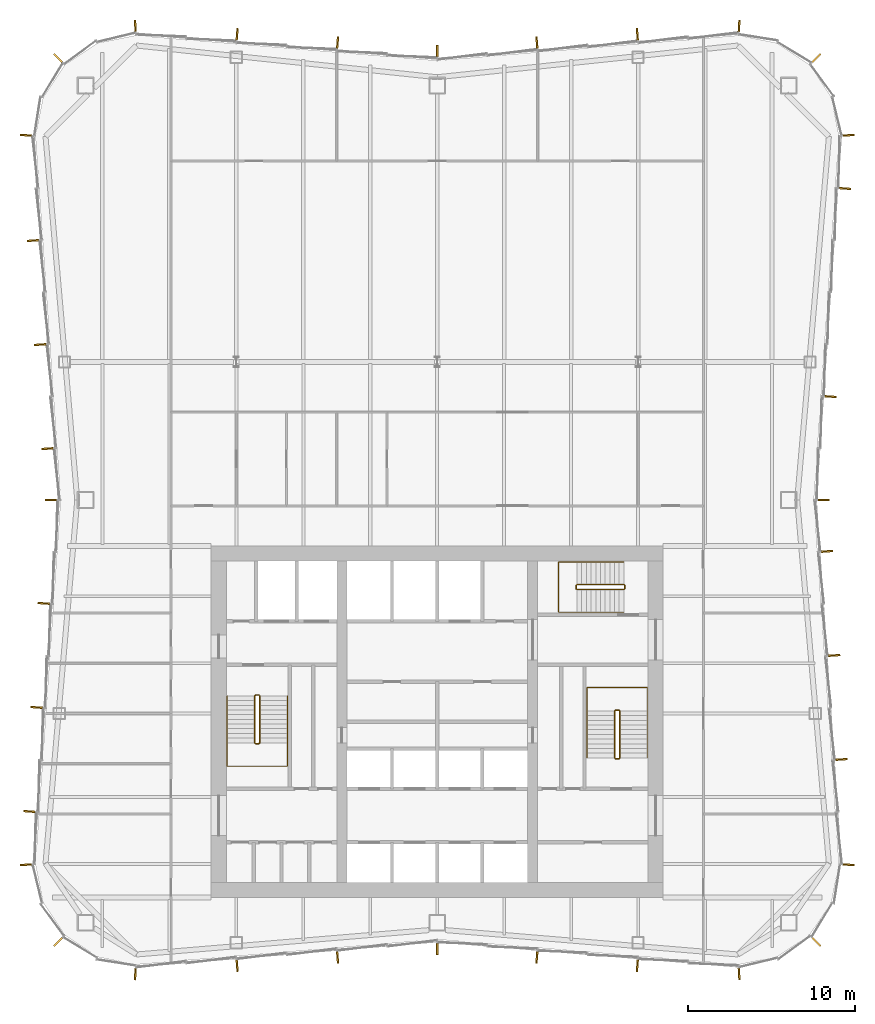
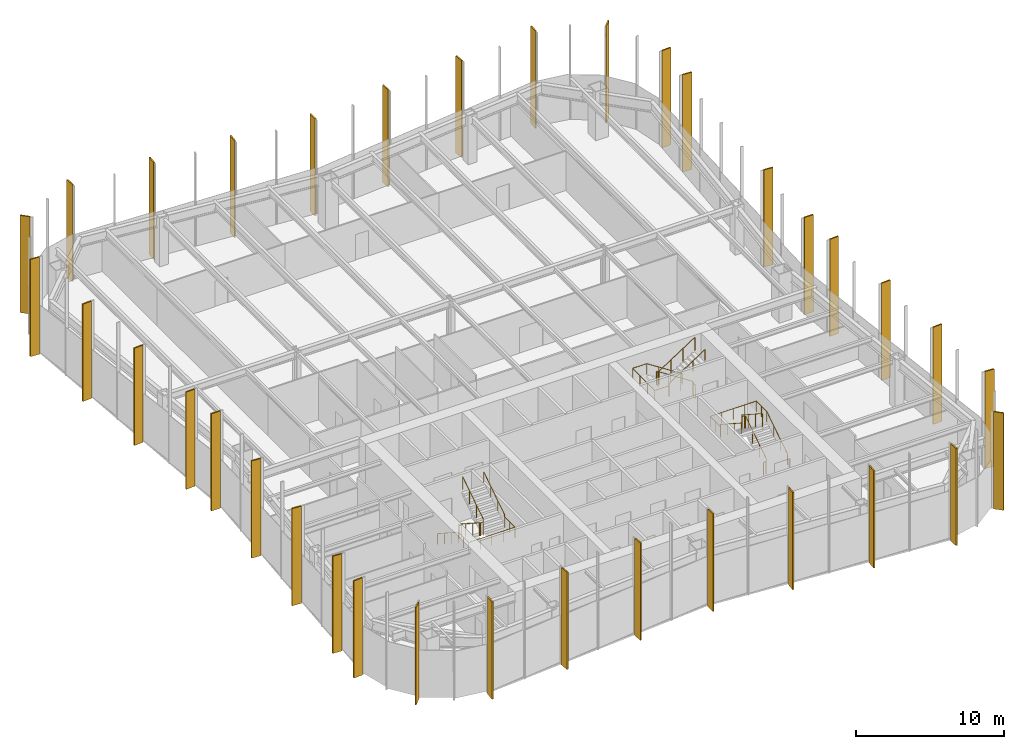
# One storey, part 13 of 13: 35 shading devices, 6 railings.
"""IFC4 building model written with IfcOpenShell, lengths in metres."""

from ifc_helpers import new_model, si_unit, direction, frame, origin, origin_2d, place, context, subcontext, project, spatial, rectangle, circle, extrude, material, layer, layer_set, type_object, element, save


model = new_model("IFC4")

# Units and contexts
model_context = context("Model", 3, precision=1e-05, world=origin(), true_north=direction((0.0, 1.0)))
body_context = subcontext(model_context, "Body", "Model", "MODEL_VIEW")
ifc_project = project(units=[si_unit("LENGTHUNIT", "METRE"), si_unit("AREAUNIT", "SQUARE_METRE"), si_unit("VOLUMEUNIT", "CUBIC_METRE"), si_unit("PLANEANGLEUNIT", "RADIAN"), si_unit("MASSUNIT", "GRAM", prefix="KILO")], contexts=[model_context])

# Site, building, storey
site_placement = place(None, origin())
site = spatial("IfcSite", under=ifc_project, at=site_placement, CompositionType="ELEMENT")
building_placement = place(site_placement, origin())
building = spatial("IfcBuilding", under=site, at=building_placement, Name="Verdant Reach Tower", CompositionType="ELEMENT")
storey_placement = place(building_placement, frame((0.0, 0.0, 218.0)))
storey = spatial("IfcBuildingStorey", under=building, at=storey_placement, Name="L50", CompositionType="ELEMENT", Elevation=218.0)

# Railings
ifc_material_1 = material(Name="Stainless steel", Category="steel")
railing_type_1 = type_object("IfcRailingType", Name="CO-GUARD", PredefinedType="GUARDRAIL", material=ifc_material_1)
railing_1_placement = place(storey_placement, frame((-10.64990234375, 29.60009765625, 0.0)))
element("IfcRailing", 1, at=railing_1_placement, inside=storey, type_object=railing_type_1, Name="L50 ST-1 stair guard 1", PredefinedType="GUARDRAIL", context=body_context, shape_type="SweptSolid", body=[
    extrude(circle(Radius=0.02392578125, at=origin_2d()), frame((0.0, 0.0, 1.076171875), z_axis=(-1.0, 0.0, 0.0), x_axis=(0.0, -1.0, 0.0)), (0.0, 0.0, 1.0), 0.2001953125),
    extrude(circle(Radius=0.02392578125, at=origin_2d()), frame((-0.2001953125, 0.0, 1.076171875), z_axis=(-0.25526617399, -0.256517478764, 0.932222056972), x_axis=(0.708833529934, -0.705375805398, 0.0)), (0.0, 0.0, 1.0), 0.195068359375),
    extrude(circle(Radius=0.02392578125, at=origin_2d()), frame((-0.25, -0.050048828125, 1.2578125), z_axis=(0.0, -0.838705829183, 0.544584733623), x_axis=(1.0, 0.0, 0.0)), (0.0, 0.0, 1.0), 3.338623046875),
    extrude(circle(Radius=0.02392578125, at=origin_2d()), frame((-0.25, -2.85009765625, 3.076171875), z_axis=(0.705375805398, -0.708833529934, 0.0), x_axis=(0.708833529934, 0.705375805398, 0.0)), (0.0, 0.0, 1.0), 0.070556640625),
    extrude(circle(Radius=0.02392578125, at=origin_2d()), frame((-0.2001953125, -2.900146484375, 3.076171875), z_axis=(1.0, 0.0, 0.0), x_axis=(0.0, 1.0, 0.0)), (0.0, 0.0, 1.0), 0.2001953125),
    extrude(circle(Radius=0.02392578125, at=origin_2d()), frame((0.0, -2.900146484375, 3.076171875), z_axis=(0.25526617399, 0.256517478764, 0.932222056972), x_axis=(-0.708833529934, 0.705375805398, 0.0)), (0.0, 0.0, 1.0), 0.195068359375),
    extrude(circle(Radius=0.02392578125, at=origin_2d()), frame((0.0498046875, -2.85009765625, 3.2578125), z_axis=(0.0, 0.838705829183, 0.544584733623), x_axis=(-1.0, 0.0, 0.0)), (0.0, 0.0, 1.0), 3.338623046875),
    extrude(circle(Radius=0.02099609375, at=origin_2d()), origin(), (0.0, 0.0, 1.0), 1.052001953125),
    extrude(circle(Radius=0.02099609375, at=origin_2d()), frame((-0.2001953125, 0.0, 0.0)), (0.0, 0.0, 1.0), 1.052001953125),
    extrude(circle(Radius=0.02099609375, at=origin_2d()), frame((-0.25, -0.050048828125, 0.181884765625)), (0.0, 0.0, 1.0), 1.052001953125),
    extrude(circle(Radius=0.02099609375, at=origin_2d()), frame((-0.25, -0.9833984375, 0.787841796875)), (0.0, 0.0, 1.0), 1.052001953125),
    extrude(circle(Radius=0.02099609375, at=origin_2d()), frame((-0.25, -1.916748046875, 1.39404296875)), (0.0, 0.0, 1.0), 1.052001953125),
    extrude(circle(Radius=0.02099609375, at=origin_2d()), frame((-0.25, -2.85009765625, 2.0)), (0.0, 0.0, 1.0), 1.052001953125),
    extrude(circle(Radius=0.02099609375, at=origin_2d()), frame((-0.2001953125, -2.900146484375, 2.0)), (0.0, 0.0, 1.0), 1.052001953125),
    extrude(circle(Radius=0.02099609375, at=origin_2d()), frame((0.0, -2.900146484375, 2.0)), (0.0, 0.0, 1.0), 1.052001953125),
    extrude(circle(Radius=0.02099609375, at=origin_2d()), frame((0.0498046875, -2.85009765625, 2.181884765625)), (0.0, 0.0, 1.0), 1.052001953125),
    extrude(circle(Radius=0.02099609375, at=origin_2d()), frame((0.0498046875, -1.916748046875, 2.787841796875)), (0.0, 0.0, 1.0), 1.052001953125),
    extrude(circle(Radius=0.02099609375, at=origin_2d()), frame((0.0498046875, -0.9833984375, 3.39404296875)), (0.0, 0.0, 1.0), 1.052001953125),
    extrude(circle(Radius=0.02099609375, at=origin_2d()), frame((0.0498046875, -0.050048828125, 4.0)), (0.0, 0.0, 1.0), 1.052001953125),
])
railing_2_placement = place(storey_placement, frame((10.64990234375, 25.800048828125, 0.0)))
element("IfcRailing", 2, at=railing_2_placement, inside=storey, type_object=railing_type_1, Name="L50 ST-2 stair guard 1", PredefinedType="GUARDRAIL", context=body_context, shape_type="SweptSolid", body=[
    extrude(circle(Radius=0.02392578125, at=origin_2d()), frame((0.0, 0.0, 1.076171875), z_axis=(1.0, 0.0, 0.0), x_axis=(0.0, 1.0, 0.0)), (0.0, 0.0, 1.0), 0.2001953125),
    extrude(circle(Radius=0.02392578125, at=origin_2d()), frame((0.2001953125, 0.0, 1.076171875), z_axis=(0.25526617399, 0.256517478764, 0.932222056972), x_axis=(-0.708833529934, 0.705375805398, 0.0)), (0.0, 0.0, 1.0), 0.195068359375),
    extrude(circle(Radius=0.02392578125, at=origin_2d()), frame((0.25, 0.050048828125, 1.2578125), z_axis=(0.0, 0.83868413941, 0.544618136222), x_axis=(-1.0, 0.0, 0.0)), (0.0, 0.0, 1.0), 3.33837890625),
    extrude(circle(Radius=0.02392578125, at=origin_2d()), frame((0.25, 2.849853515625, 3.076171875), z_axis=(-0.705375805398, 0.708833529934, 0.0), x_axis=(-0.708833529934, -0.705375805398, 0.0)), (0.0, 0.0, 1.0), 0.070556640625),
    extrude(circle(Radius=0.02392578125, at=origin_2d()), frame((0.2001953125, 2.89990234375, 3.076171875), z_axis=(-1.0, 0.0, 0.0), x_axis=(0.0, -1.0, 0.0)), (0.0, 0.0, 1.0), 0.2001953125),
    extrude(circle(Radius=0.02392578125, at=origin_2d()), frame((0.0, 2.89990234375, 3.076171875), z_axis=(-0.25526617399, -0.256517478764, 0.932222056972), x_axis=(0.708833529934, -0.705375805398, 0.0)), (0.0, 0.0, 1.0), 0.195068359375),
    extrude(circle(Radius=0.02392578125, at=origin_2d()), frame((-0.0498046875, 2.849853515625, 3.2578125), z_axis=(0.0, -0.83868413941, 0.544618136222), x_axis=(1.0, 0.0, 0.0)), (0.0, 0.0, 1.0), 3.33837890625),
    extrude(circle(Radius=0.02099609375, at=origin_2d()), origin(), (0.0, 0.0, 1.0), 1.052001953125),
    extrude(circle(Radius=0.02099609375, at=origin_2d()), frame((0.2001953125, 0.0, 0.0)), (0.0, 0.0, 1.0), 1.052001953125),
    extrude(circle(Radius=0.02099609375, at=origin_2d()), frame((0.25, 0.050048828125, 0.181884765625)), (0.0, 0.0, 1.0), 1.052001953125),
    extrude(circle(Radius=0.02099609375, at=origin_2d()), frame((0.25, 0.9833984375, 0.787841796875)), (0.0, 0.0, 1.0), 1.052001953125),
    extrude(circle(Radius=0.02099609375, at=origin_2d()), frame((0.25, 1.91650390625, 1.39404296875)), (0.0, 0.0, 1.0), 1.052001953125),
    extrude(circle(Radius=0.02099609375, at=origin_2d()), frame((0.25, 2.849853515625, 2.0)), (0.0, 0.0, 1.0), 1.052001953125),
    extrude(circle(Radius=0.02099609375, at=origin_2d()), frame((0.2001953125, 2.89990234375, 2.0)), (0.0, 0.0, 1.0), 1.052001953125),
    extrude(circle(Radius=0.02099609375, at=origin_2d()), frame((0.0, 2.89990234375, 2.0)), (0.0, 0.0, 1.0), 1.052001953125),
    extrude(circle(Radius=0.02099609375, at=origin_2d()), frame((-0.0498046875, 2.849853515625, 2.181884765625)), (0.0, 0.0, 1.0), 1.052001953125),
    extrude(circle(Radius=0.02099609375, at=origin_2d()), frame((-0.0498046875, 1.91650390625, 2.787841796875)), (0.0, 0.0, 1.0), 1.052001953125),
    extrude(circle(Radius=0.02099609375, at=origin_2d()), frame((-0.0498046875, 0.9833984375, 3.39404296875)), (0.0, 0.0, 1.0), 1.052001953125),
    extrude(circle(Radius=0.02099609375, at=origin_2d()), frame((-0.0498046875, 0.050048828125, 4.0)), (0.0, 0.0, 1.0), 1.052001953125),
])
railing_3_placement = place(storey_placement, frame((11.199951171875, 35.949951171875, 0.0)))
element("IfcRailing", 3, at=railing_3_placement, inside=storey, type_object=railing_type_1, Name="L50 ST-3 stair guard 1", PredefinedType="GUARDRAIL", context=body_context, shape_type="SweptSolid", body=[
    extrude(circle(Radius=0.02392578125, at=origin_2d()), frame((0.0, 0.0, 1.076171875), z_axis=(0.0, 1.0, 0.0), x_axis=(-1.0, 0.0, 0.0)), (0.0, 0.0, 1.0), 0.199951171875),
    extrude(circle(Radius=0.02392578125, at=origin_2d()), frame((0.0, 0.199951171875, 1.076171875), z_axis=(-0.256435381639, 0.256435381639, 0.931923704005), x_axis=(-0.707106781187, -0.707106781187, 0.0)), (0.0, 0.0, 1.0), 0.195068359375),
    extrude(circle(Radius=0.02392578125, at=origin_2d()), frame((-0.050048828125, 0.25, 1.2578125), z_axis=(-0.83868413941, 0.0, 0.544618136222), x_axis=(0.0, -1.0, 0.0)), (0.0, 0.0, 1.0), 3.33837890625),
    extrude(circle(Radius=0.02392578125, at=origin_2d()), frame((-2.849853515625, 0.25, 3.076171875), z_axis=(-0.707106781187, -0.707106781187, 0.0), x_axis=(0.707106781187, -0.707106781187, 0.0)), (0.0, 0.0, 1.0), 0.07080078125),
    extrude(circle(Radius=0.02392578125, at=origin_2d()), frame((-2.89990234375, 0.199951171875, 3.076171875), z_axis=(0.0, -1.0, 0.0), x_axis=(1.0, 0.0, 0.0)), (0.0, 0.0, 1.0), 0.199951171875),
    extrude(circle(Radius=0.02392578125, at=origin_2d()), frame((-2.89990234375, 0.0, 3.076171875), z_axis=(0.256435381639, -0.256435381639, 0.931923704005), x_axis=(0.707106781187, 0.707106781187, 0.0)), (0.0, 0.0, 1.0), 0.195068359375),
    extrude(circle(Radius=0.02392578125, at=origin_2d()), frame((-2.849853515625, -0.050048828125, 3.2578125), z_axis=(0.83868413941, 0.0, 0.544618136222), x_axis=(0.0, 1.0, 0.0)), (0.0, 0.0, 1.0), 3.33837890625),
    extrude(circle(Radius=0.02099609375, at=origin_2d()), origin(), (0.0, 0.0, 1.0), 1.052001953125),
    extrude(circle(Radius=0.02099609375, at=origin_2d()), frame((0.0, 0.199951171875, 0.0)), (0.0, 0.0, 1.0), 1.052001953125),
    extrude(circle(Radius=0.02099609375, at=origin_2d()), frame((-0.050048828125, 0.25, 0.181884765625)), (0.0, 0.0, 1.0), 1.052001953125),
    extrude(circle(Radius=0.02099609375, at=origin_2d()), frame((-0.9833984375, 0.25, 0.787841796875)), (0.0, 0.0, 1.0), 1.052001953125),
    extrude(circle(Radius=0.02099609375, at=origin_2d()), frame((-1.91650390625, 0.25, 1.39404296875)), (0.0, 0.0, 1.0), 1.052001953125),
    extrude(circle(Radius=0.02099609375, at=origin_2d()), frame((-2.849853515625, 0.25, 2.0)), (0.0, 0.0, 1.0), 1.052001953125),
    extrude(circle(Radius=0.02099609375, at=origin_2d()), frame((-2.89990234375, 0.199951171875, 2.0)), (0.0, 0.0, 1.0), 1.052001953125),
    extrude(circle(Radius=0.02099609375, at=origin_2d()), frame((-2.89990234375, 0.0, 2.0)), (0.0, 0.0, 1.0), 1.052001953125),
    extrude(circle(Radius=0.02099609375, at=origin_2d()), frame((-2.849853515625, -0.050048828125, 2.181884765625)), (0.0, 0.0, 1.0), 1.052001953125),
    extrude(circle(Radius=0.02099609375, at=origin_2d()), frame((-1.91650390625, -0.050048828125, 2.787841796875)), (0.0, 0.0, 1.0), 1.052001953125),
    extrude(circle(Radius=0.02099609375, at=origin_2d()), frame((-0.9833984375, -0.050048828125, 3.39404296875)), (0.0, 0.0, 1.0), 1.052001953125),
    extrude(circle(Radius=0.02099609375, at=origin_2d()), frame((-0.050048828125, -0.050048828125, 4.0)), (0.0, 0.0, 1.0), 1.052001953125),
])
railing_type_2 = type_object("IfcRailingType", Name="CO-HANDRAIL", PredefinedType="HANDRAIL", material=ifc_material_1)
railing_4_placement = place(storey_placement, frame((-12.550048828125, 29.550048828125, 0.181884765625)))
element("IfcRailing", 4, at=railing_4_placement, inside=storey, type_object=railing_type_2, Name="L50 ST-1 stair handrail 1", PredefinedType="HANDRAIL", context=body_context, shape_type="SweptSolid", body=[
    extrude(circle(Radius=0.02392578125, at=origin_2d()), frame((0.0, 0.0, 0.8759765625), z_axis=(0.0, -0.838705829183, 0.544584733623), x_axis=(1.0, 0.0, 0.0)), (0.0, 0.0, 1.0), 3.338623046875),
    extrude(circle(Radius=0.02392578125, at=origin_2d()), frame((0.0, -2.800048828125, 2.69384765625), z_axis=(0.0, -1.0, 0.0), x_axis=(1.0, 0.0, 0.0)), (0.0, 0.0, 1.0), 1.39990234375),
    extrude(circle(Radius=0.02392578125, at=origin_2d()), frame((0.0, -4.199951171875, 2.69384765625), z_axis=(1.0, 0.0, 0.0), x_axis=(0.0, 1.0, 0.0)), (0.0, 0.0, 1.0), 3.60009765625),
    extrude(circle(Radius=0.02392578125, at=origin_2d()), frame((3.60009765625, -4.199951171875, 2.69384765625), z_axis=(0.0, 1.0, 0.0), x_axis=(-1.0, 0.0, 0.0)), (0.0, 0.0, 1.0), 1.39990234375),
    extrude(circle(Radius=0.02392578125, at=origin_2d()), frame((3.60009765625, -2.800048828125, 2.69384765625), z_axis=(0.0, 0.0, 1.0), x_axis=(1.0, 0.0, 0.0)), (0.0, 0.0, 1.0), 0.181884765625),
    extrude(circle(Radius=0.02392578125, at=origin_2d()), frame((3.60009765625, -2.800048828125, 2.8759765625), z_axis=(0.0, 0.838705829183, 0.544584733623), x_axis=(-1.0, 0.0, 0.0)), (0.0, 0.0, 1.0), 3.338623046875),
    extrude(circle(Radius=0.02099609375, at=origin_2d()), origin(), (0.0, 0.0, 1.0), 0.851806640625),
    extrude(circle(Radius=0.02099609375, at=origin_2d()), frame((0.0, -0.933349609375, 0.60595703125)), (0.0, 0.0, 1.0), 0.851806640625),
    extrude(circle(Radius=0.02099609375, at=origin_2d()), frame((0.0, -1.86669921875, 1.212158203125)), (0.0, 0.0, 1.0), 0.851806640625),
    extrude(circle(Radius=0.02099609375, at=origin_2d()), frame((0.0, -2.800048828125, 1.818115234375)), (0.0, 0.0, 1.0), 0.851806640625),
    extrude(circle(Radius=0.02099609375, at=origin_2d()), frame((0.0, -3.5, 1.818115234375)), (0.0, 0.0, 1.0), 0.851806640625),
    extrude(circle(Radius=0.02099609375, at=origin_2d()), frame((0.0, -4.199951171875, 1.818115234375)), (0.0, 0.0, 1.0), 0.851806640625),
    extrude(circle(Radius=0.02099609375, at=origin_2d()), frame((0.89990234375, -4.199951171875, 1.818115234375)), (0.0, 0.0, 1.0), 0.851806640625),
    extrude(circle(Radius=0.02099609375, at=origin_2d()), frame((1.800048828125, -4.199951171875, 1.818115234375)), (0.0, 0.0, 1.0), 0.851806640625),
    extrude(circle(Radius=0.02099609375, at=origin_2d()), frame((2.7001953125, -4.199951171875, 1.818115234375)), (0.0, 0.0, 1.0), 0.851806640625),
    extrude(circle(Radius=0.02099609375, at=origin_2d()), frame((3.60009765625, -4.199951171875, 1.818115234375)), (0.0, 0.0, 1.0), 0.851806640625),
    extrude(circle(Radius=0.02099609375, at=origin_2d()), frame((3.60009765625, -3.5, 1.818115234375)), (0.0, 0.0, 1.0), 0.851806640625),
    extrude(circle(Radius=0.02099609375, at=origin_2d()), frame((3.60009765625, -2.800048828125, 1.818115234375)), (0.0, 0.0, 1.0), 0.851806640625),
    extrude(circle(Radius=0.02099609375, at=origin_2d()), frame((3.60009765625, -2.800048828125, 2.0)), (0.0, 0.0, 1.0), 0.851806640625),
    extrude(circle(Radius=0.02099609375, at=origin_2d()), frame((3.60009765625, -1.86669921875, 2.60595703125)), (0.0, 0.0, 1.0), 0.851806640625),
    extrude(circle(Radius=0.02099609375, at=origin_2d()), frame((3.60009765625, -0.933349609375, 3.212158203125)), (0.0, 0.0, 1.0), 0.851806640625),
    extrude(circle(Radius=0.02099609375, at=origin_2d()), frame((3.60009765625, 0.0, 3.818115234375)), (0.0, 0.0, 1.0), 0.851806640625),
])
railing_5_placement = place(storey_placement, frame((12.550048828125, 25.85009765625, 0.181884765625)))
element("IfcRailing", 5, at=railing_5_placement, inside=storey, type_object=railing_type_2, Name="L50 ST-2 stair handrail 1", PredefinedType="HANDRAIL", context=body_context, shape_type="SweptSolid", body=[
    extrude(circle(Radius=0.02392578125, at=origin_2d()), frame((0.0, 0.0, 0.8759765625), z_axis=(0.0, 0.83868413941, 0.544618136222), x_axis=(-1.0, 0.0, 0.0)), (0.0, 0.0, 1.0), 3.33837890625),
    extrude(circle(Radius=0.02392578125, at=origin_2d()), frame((0.0, 2.7998046875, 2.69384765625), z_axis=(0.0, 1.0, 0.0), x_axis=(-1.0, 0.0, 0.0)), (0.0, 0.0, 1.0), 1.400146484375),
    extrude(circle(Radius=0.02392578125, at=origin_2d()), frame((0.0, 4.199951171875, 2.69384765625), z_axis=(-1.0, 0.0, 0.0), x_axis=(0.0, -1.0, 0.0)), (0.0, 0.0, 1.0), 3.60009765625),
    extrude(circle(Radius=0.02392578125, at=origin_2d()), frame((-3.60009765625, 4.199951171875, 2.69384765625), z_axis=(0.0, -1.0, 0.0), x_axis=(1.0, 0.0, 0.0)), (0.0, 0.0, 1.0), 1.400146484375),
    extrude(circle(Radius=0.02392578125, at=origin_2d()), frame((-3.60009765625, 2.7998046875, 2.69384765625), z_axis=(0.0, 0.0, 1.0), x_axis=(1.0, 0.0, 0.0)), (0.0, 0.0, 1.0), 0.181884765625),
    extrude(circle(Radius=0.02392578125, at=origin_2d()), frame((-3.60009765625, 2.7998046875, 2.8759765625), z_axis=(0.0, -0.83868413941, 0.544618136222), x_axis=(1.0, 0.0, 0.0)), (0.0, 0.0, 1.0), 3.33837890625),
    extrude(circle(Radius=0.02099609375, at=origin_2d()), origin(), (0.0, 0.0, 1.0), 0.851806640625),
    extrude(circle(Radius=0.02099609375, at=origin_2d()), frame((0.0, 0.933349609375, 0.60595703125)), (0.0, 0.0, 1.0), 0.851806640625),
    extrude(circle(Radius=0.02099609375, at=origin_2d()), frame((0.0, 1.866455078125, 1.212158203125)), (0.0, 0.0, 1.0), 0.851806640625),
    extrude(circle(Radius=0.02099609375, at=origin_2d()), frame((0.0, 2.7998046875, 1.818115234375)), (0.0, 0.0, 1.0), 0.851806640625),
    extrude(circle(Radius=0.02099609375, at=origin_2d()), frame((0.0, 3.5, 1.818115234375)), (0.0, 0.0, 1.0), 0.851806640625),
    extrude(circle(Radius=0.02099609375, at=origin_2d()), frame((0.0, 4.199951171875, 1.818115234375)), (0.0, 0.0, 1.0), 0.851806640625),
    extrude(circle(Radius=0.02099609375, at=origin_2d()), frame((-0.89990234375, 4.199951171875, 1.818115234375)), (0.0, 0.0, 1.0), 0.851806640625),
    extrude(circle(Radius=0.02099609375, at=origin_2d()), frame((-1.800048828125, 4.199951171875, 1.818115234375)), (0.0, 0.0, 1.0), 0.851806640625),
    extrude(circle(Radius=0.02099609375, at=origin_2d()), frame((-2.7001953125, 4.199951171875, 1.818115234375)), (0.0, 0.0, 1.0), 0.851806640625),
    extrude(circle(Radius=0.02099609375, at=origin_2d()), frame((-3.60009765625, 4.199951171875, 1.818115234375)), (0.0, 0.0, 1.0), 0.851806640625),
    extrude(circle(Radius=0.02099609375, at=origin_2d()), frame((-3.60009765625, 3.5, 1.818115234375)), (0.0, 0.0, 1.0), 0.851806640625),
    extrude(circle(Radius=0.02099609375, at=origin_2d()), frame((-3.60009765625, 2.7998046875, 1.818115234375)), (0.0, 0.0, 1.0), 0.851806640625),
    extrude(circle(Radius=0.02099609375, at=origin_2d()), frame((-3.60009765625, 2.7998046875, 2.0)), (0.0, 0.0, 1.0), 0.851806640625),
    extrude(circle(Radius=0.02099609375, at=origin_2d()), frame((-3.60009765625, 1.866455078125, 2.60595703125)), (0.0, 0.0, 1.0), 0.851806640625),
    extrude(circle(Radius=0.02099609375, at=origin_2d()), frame((-3.60009765625, 0.933349609375, 3.212158203125)), (0.0, 0.0, 1.0), 0.851806640625),
    extrude(circle(Radius=0.02099609375, at=origin_2d()), frame((-3.60009765625, 0.0, 3.818115234375)), (0.0, 0.0, 1.0), 0.851806640625),
])
railing_6_placement = place(storey_placement, frame((11.14990234375, 37.550048828125, 0.181884765625)))
element("IfcRailing", 6, at=railing_6_placement, inside=storey, type_object=railing_type_2, Name="L50 ST-3 stair handrail 1", PredefinedType="HANDRAIL", context=body_context, shape_type="SweptSolid", body=[
    extrude(circle(Radius=0.02392578125, at=origin_2d()), frame((0.0, 0.0, 0.8759765625), z_axis=(-0.83868413941, 0.0, 0.544618136222), x_axis=(0.0, -1.0, 0.0)), (0.0, 0.0, 1.0), 3.33837890625),
    extrude(circle(Radius=0.02392578125, at=origin_2d()), frame((-2.7998046875, 0.0, 2.69384765625), z_axis=(-1.0, 0.0, 0.0), x_axis=(0.0, -1.0, 0.0)), (0.0, 0.0, 1.0), 1.10009765625),
    extrude(circle(Radius=0.02392578125, at=origin_2d()), frame((-3.89990234375, 0.0, 2.69384765625), z_axis=(0.0, -1.0, 0.0), x_axis=(1.0, 0.0, 0.0)), (0.0, 0.0, 1.0), 3.0),
    extrude(circle(Radius=0.02392578125, at=origin_2d()), frame((-3.89990234375, -3.0, 2.69384765625), z_axis=(1.0, 0.0, 0.0), x_axis=(0.0, 1.0, 0.0)), (0.0, 0.0, 1.0), 1.10009765625),
    extrude(circle(Radius=0.02392578125, at=origin_2d()), frame((-2.7998046875, -3.0, 2.69384765625), z_axis=(0.0, 0.0, 1.0), x_axis=(1.0, 0.0, 0.0)), (0.0, 0.0, 1.0), 0.181884765625),
    extrude(circle(Radius=0.02392578125, at=origin_2d()), frame((-2.7998046875, -3.0, 2.8759765625), z_axis=(0.83868413941, 0.0, 0.544618136222), x_axis=(0.0, 1.0, 0.0)), (0.0, 0.0, 1.0), 3.33837890625),
    extrude(circle(Radius=0.02099609375, at=origin_2d()), origin(), (0.0, 0.0, 1.0), 0.851806640625),
    extrude(circle(Radius=0.02099609375, at=origin_2d()), frame((-0.933349609375, 0.0, 0.60595703125)), (0.0, 0.0, 1.0), 0.851806640625),
    extrude(circle(Radius=0.02099609375, at=origin_2d()), frame((-1.866455078125, 0.0, 1.212158203125)), (0.0, 0.0, 1.0), 0.851806640625),
    extrude(circle(Radius=0.02099609375, at=origin_2d()), frame((-2.7998046875, 0.0, 1.818115234375)), (0.0, 0.0, 1.0), 0.851806640625),
    extrude(circle(Radius=0.02099609375, at=origin_2d()), frame((-3.89990234375, 0.0, 1.818115234375)), (0.0, 0.0, 1.0), 0.851806640625),
    extrude(circle(Radius=0.02099609375, at=origin_2d()), frame((-3.89990234375, -1.0, 1.818115234375)), (0.0, 0.0, 1.0), 0.851806640625),
    extrude(circle(Radius=0.02099609375, at=origin_2d()), frame((-3.89990234375, -2.0, 1.818115234375)), (0.0, 0.0, 1.0), 0.851806640625),
    extrude(circle(Radius=0.02099609375, at=origin_2d()), frame((-3.89990234375, -3.0, 1.818115234375)), (0.0, 0.0, 1.0), 0.851806640625),
    extrude(circle(Radius=0.02099609375, at=origin_2d()), frame((-2.7998046875, -3.0, 1.818115234375)), (0.0, 0.0, 1.0), 0.851806640625),
    extrude(circle(Radius=0.02099609375, at=origin_2d()), frame((-2.7998046875, -3.0, 2.0)), (0.0, 0.0, 1.0), 0.851806640625),
    extrude(circle(Radius=0.02099609375, at=origin_2d()), frame((-1.866455078125, -3.0, 2.60595703125)), (0.0, 0.0, 1.0), 0.851806640625),
    extrude(circle(Radius=0.02099609375, at=origin_2d()), frame((-0.933349609375, -3.0, 3.212158203125)), (0.0, 0.0, 1.0), 0.851806640625),
    extrude(circle(Radius=0.02099609375, at=origin_2d()), frame((0.0, -3.0, 3.818115234375)), (0.0, 0.0, 1.0), 0.851806640625),
])

# Shading devices
ifc_material_2 = material(Name="Bronze fin, champagne", Category="aluminium")
ifc_layer_1 = layer(ifc_material_2, 0.10009765625)
ifc_layer_set_1 = layer_set([ifc_layer_1], Name="EN-FIN CHAMPAGNE")
shading_device_type_1 = type_object("IfcShadingDeviceType", Name="EN-FIN CHAMPAGNE", PredefinedType="USERDEFINED", material=ifc_layer_set_1)
for number, where, z_axis, x_axis, name in (
    (7, (23.70947265625, 31.967529296875, -0.35009765625), (0.0, 0.0, 1.0), (-0.068802091615, 0.997630328423, 0.0), "Fin east face part 1 5, L50"),
    (8, (24.352294921875, 59.853759765625, -0.35009765625), (0.0, 0.0, 1.0), (0.068802091615, 0.997630328423, 0.0), "Fin east face part 2 7, L50"),
    (9, (11.952880859375, 69.06591796875, -0.35009765625), (0.0, 0.0, 1.0), (-0.996545758244, -0.083045479859, 0.0), "Fin north face part 1 3, L50"),
    (10, (-11.952880859375, 69.06591796875, -0.35009765625), (0.0, 0.0, 1.0), (-0.996545758244, 0.083045479859, 0.0), "Fin north face part 2 5, L50"),
    (11, (-22.644287109375, 67.644287109375, -0.35009765625), (0.0, 0.0, 1.0), (-0.707106781187, -0.707106781187, 0.0), "Fin north-west corner 3, L50"),
    (12, (-24.56689453125, 63.0361328125, -0.35009765625), (0.0, 0.0, 1.0), (-0.063698618332, -0.997969180898, 0.0), "Fin west face part 1 1, L50"),
    (13, (-24.13818359375, 56.74658203125, -0.35009765625), (0.0, 0.0, 1.0), (0.068802091615, -0.997630328423, 0.0), "Fin west face part 1 3, L50"),
    (14, (-23.4951171875, 35.07470703125, -0.35009765625), (0.0, 0.0, 1.0), (-0.068802091615, -0.997630328423, 0.0), "Fin west face part 2 3, L50"),
    (15, (-24.56689453125, 19.4638671875, -0.35009765625), (0.0, 0.0, 1.0), (0.063698618332, -0.997969180898, 0.0), "Fin south-west corner 1, L50"),
    (16, (-22.644287109375, 14.855712890625, -0.35009765625), (0.0, 0.0, 1.0), (0.707106781187, -0.707106781187, 0.0), "Fin south-west corner 3, L50"),
    (17, (0.0, 14.431884765625, -0.35009765625), (0.0, 0.0, 1.0), (1.0, 0.0, 0.0), "Fin south face part 2 1, L50"),
):
    element("IfcShadingDevice", number, at=place(storey_placement, frame(where, z_axis=z_axis, x_axis=x_axis)), inside=storey, type_object=shading_device_type_1, Name=name, ObjectType="FIN", PredefinedType="USERDEFINED", context=body_context, shape_type="SweptSolid", body=[
        extrude(rectangle(XDim=0.10009765625, YDim=0.699951171875, at=origin_2d()), origin(), (0.0, 0.0, 1.0), 8.0),
    ])
ifc_material_3 = material(Name="Bronze fin, copper", Category="aluminium")
ifc_layer_2 = layer(ifc_material_3, 0.10009765625)
ifc_layer_set_2 = layer_set([ifc_layer_2], Name="EN-FIN COPPER")
shading_device_type_2 = type_object("IfcShadingDeviceType", Name="EN-FIN COPPER", PredefinedType="USERDEFINED", material=ifc_layer_set_2)
for number, where, z_axis, x_axis, name in (
    (18, (18.0322265625, 12.932861328125, -0.35009765625), (0.0, 0.0, 1.0), (0.998398681387, 0.056569187765, 0.0), "Fin south-east corner 1, L50"),
    (19, (22.644287109375, 14.855712890625, -0.35009765625), (0.0, 0.0, 1.0), (0.707106781187, 0.707106781187, 0.0), "Fin south-east corner 3, L50"),
    (20, (24.56689453125, 19.4638671875, -0.35009765625), (0.0, 0.0, 1.0), (0.063698618332, 0.997969180898, 0.0), "Fin east face part 1 1, L50"),
    (21, (23.281005859375, 38.181884765625, -0.35009765625), (0.0, 0.0, 1.0), (-0.068802091615, 0.997630328423, 0.0), "Fin east face part 1 7, L50"),
    (22, (23.068115234375, 41.25, -0.35009765625), (0.0, 0.0, 1.0), (0.0, 1.0, 0.0), "Fin east face part 2 1, L50"),
    (23, (23.4951171875, 47.42529296875, -0.35009765625), (0.0, 0.0, 1.0), (0.068802091615, 0.997630328423, 0.0), "Fin east face part 2 3, L50"),
    (24, (24.56689453125, 63.0361328125, -0.35009765625), (0.0, 0.0, 1.0), (-0.063698618332, 0.997969180898, 0.0), "Fin north-east corner 1, L50"),
    (25, (5.952880859375, 68.56591796875, -0.35009765625), (0.0, 0.0, 1.0), (-0.996545758244, -0.083045479859, 0.0), "Fin north face part 1 5, L50"),
    (26, (0.0, 68.068115234375, -0.35009765625), (0.0, 0.0, 1.0), (-1.0, 0.0, 0.0), "Fin north face part 2 1, L50"),
    (27, (-23.70947265625, 50.532470703125, -0.35009765625), (0.0, 0.0, 1.0), (0.068802091615, -0.997630328423, 0.0), "Fin west face part 1 5, L50"),
    (28, (-23.923828125, 28.860595703125, -0.35009765625), (0.0, 0.0, 1.0), (-0.068802091615, -0.997630328423, 0.0), "Fin west face part 2 5, L50"),
    (29, (-24.352294921875, 22.646240234375, -0.35009765625), (0.0, 0.0, 1.0), (-0.068802091615, -0.997630328423, 0.0), "Fin west face part 2 7, L50"),
    (30, (-18.0322265625, 12.932861328125, -0.35009765625), (0.0, 0.0, 1.0), (0.998398681387, -0.056569187765, 0.0), "Fin south face part 1 1, L50"),
    (31, (-11.952880859375, 13.43408203125, -0.35009765625), (0.0, 0.0, 1.0), (0.996545758244, 0.083045479859, 0.0), "Fin south face part 1 3, L50"),
    (32, (5.952880859375, 13.93408203125, -0.35009765625), (0.0, 0.0, 1.0), (0.996545758244, -0.083045479859, 0.0), "Fin south face part 2 3, L50"),
):
    element("IfcShadingDevice", number, at=place(storey_placement, frame(where, z_axis=z_axis, x_axis=x_axis)), inside=storey, type_object=shading_device_type_2, Name=name, ObjectType="FIN", PredefinedType="USERDEFINED", context=body_context, shape_type="SweptSolid", body=[
        extrude(rectangle(XDim=0.10009765625, YDim=0.699951171875, at=origin_2d()), origin(), (0.0, 0.0, 1.0), 8.0),
    ])
ifc_material_4 = material(Name="Bronze fin, dark bronze", Category="aluminium")
ifc_layer_3 = layer(ifc_material_4, 0.10009765625)
ifc_layer_set_3 = layer_set([ifc_layer_3], Name="EN-FIN DARK")
shading_device_type_3 = type_object("IfcShadingDeviceType", Name="EN-FIN DARK", PredefinedType="USERDEFINED", material=ifc_layer_set_3)
for number, where, z_axis, x_axis, name in (
    (33, (24.13818359375, 25.75341796875, -0.35009765625), (0.0, 0.0, 1.0), (-0.068802091615, 0.997630328423, 0.0), "Fin east face part 1 3, L50"),
    (34, (22.644287109375, 67.644287109375, -0.35009765625), (0.0, 0.0, 1.0), (-0.707106781187, 0.707106781187, 0.0), "Fin north-east corner 3, L50"),
    (35, (18.0322265625, 69.567138671875, -0.35009765625), (0.0, 0.0, 1.0), (-0.998398681387, 0.056569187765, 0.0), "Fin north face part 1 1, L50"),
    (36, (-5.952880859375, 68.56591796875, -0.35009765625), (0.0, 0.0, 1.0), (-0.996545758244, 0.083045479859, 0.0), "Fin north face part 2 3, L50"),
    (37, (-18.0322265625, 69.567138671875, -0.35009765625), (0.0, 0.0, 1.0), (-0.998398681387, -0.056569187765, 0.0), "Fin north-west corner 1, L50"),
    (38, (-23.281005859375, 44.318115234375, -0.35009765625), (0.0, 0.0, 1.0), (0.068802091615, -0.997630328423, 0.0), "Fin west face part 1 7, L50"),
    (39, (-23.068115234375, 41.25, -0.35009765625), (0.0, 0.0, 1.0), (0.0, -1.0, 0.0), "Fin west face part 2 1, L50"),
    (40, (-5.952880859375, 13.93408203125, -0.35009765625), (0.0, 0.0, 1.0), (0.996545758244, 0.083045479859, 0.0), "Fin south face part 1 5, L50"),
    (41, (11.952880859375, 13.43408203125, -0.35009765625), (0.0, 0.0, 1.0), (0.996545758244, -0.083045479859, 0.0), "Fin south face part 2 5, L50"),
):
    element("IfcShadingDevice", number, at=place(storey_placement, frame(where, z_axis=z_axis, x_axis=x_axis)), inside=storey, type_object=shading_device_type_3, Name=name, ObjectType="FIN", PredefinedType="USERDEFINED", context=body_context, shape_type="SweptSolid", body=[
        extrude(rectangle(XDim=0.10009765625, YDim=0.699951171875, at=origin_2d()), origin(), (0.0, 0.0, 1.0), 8.0),
    ])

save(model, "model.ifc")
